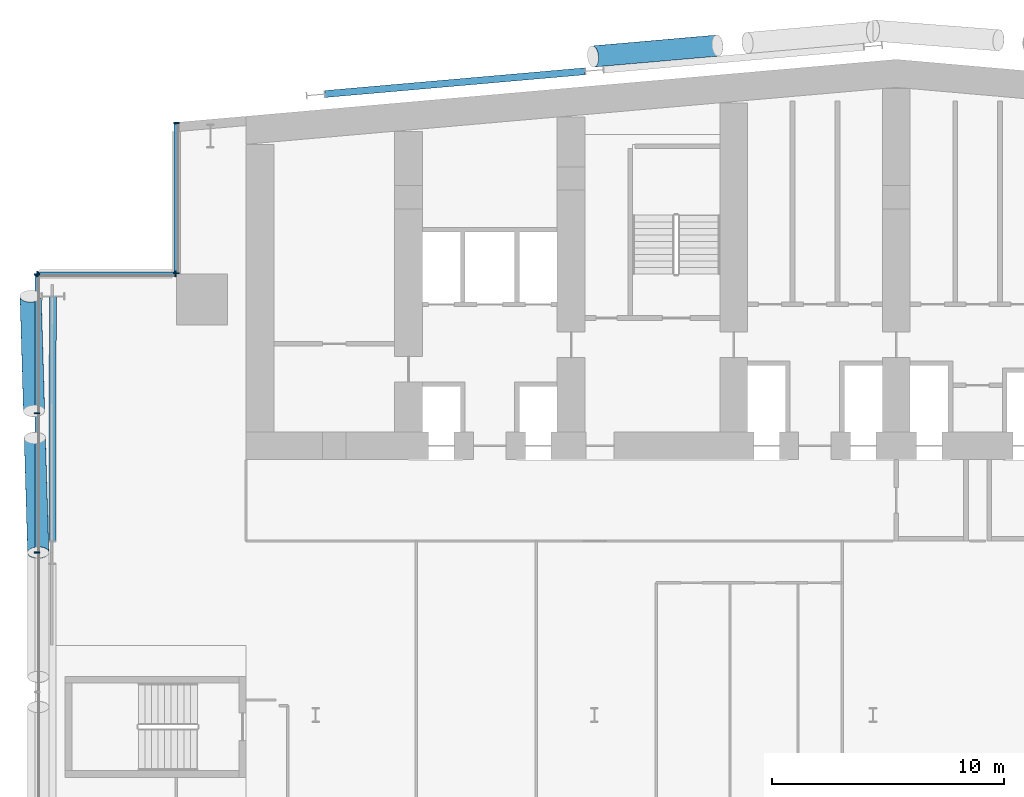
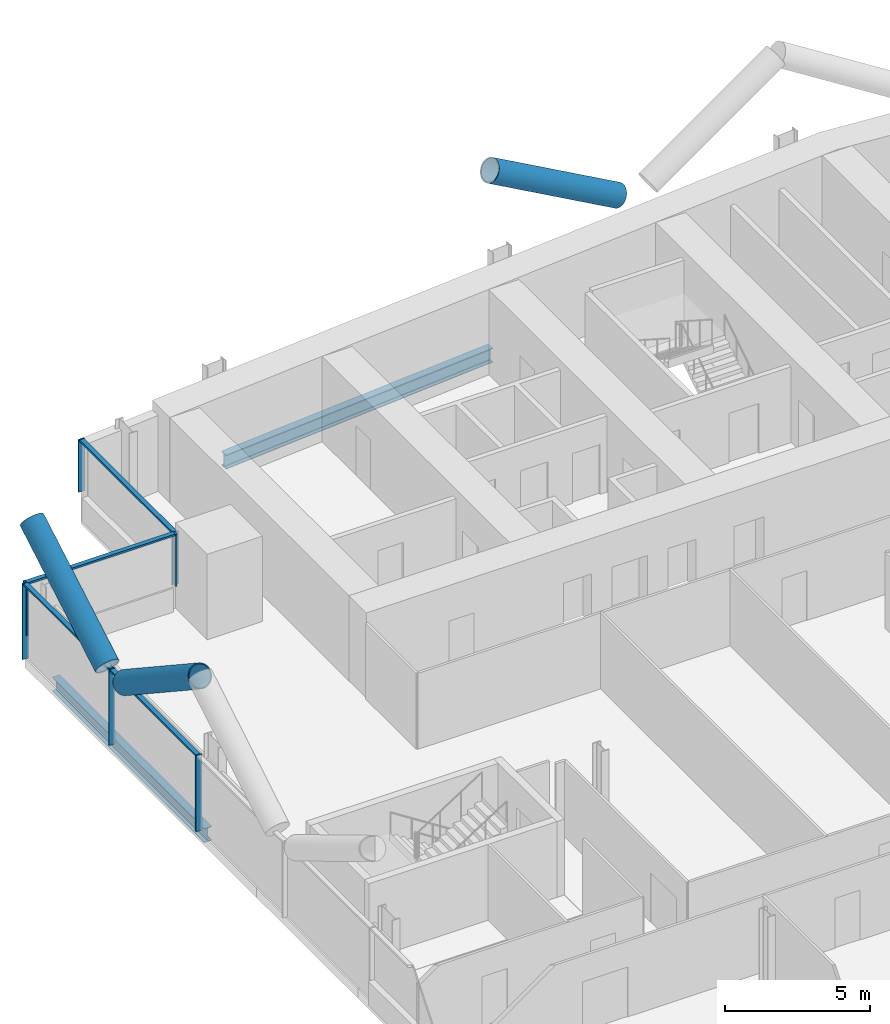
# One storey, part 7 of 27: 14 members, 2 beams, 3 elements without a shape of their own.
"""IFC4 building model written with IfcOpenShell, lengths in metres."""

from ifc_helpers import new_model, si_unit, direction, frame, origin, origin_2d, place, context, subcontext, project, spatial, rectangle, hollow_circle, i_section, extrude, material, material_profile, profile_set, type_object, element, aggregate, save


model = new_model("IFC4")

# Units and contexts
model_context = context("Model", 3, precision=1e-05, world=origin(), true_north=direction((0.0, 1.0)))
body_context = subcontext(model_context, "Body", "Model", "MODEL_VIEW")
ifc_project = project(units=[si_unit("LENGTHUNIT", "METRE"), si_unit("AREAUNIT", "SQUARE_METRE"), si_unit("VOLUMEUNIT", "CUBIC_METRE"), si_unit("PLANEANGLEUNIT", "RADIAN"), si_unit("MASSUNIT", "GRAM", prefix="KILO")], contexts=[model_context])

# Site, building, storey
site_placement = place(None, origin())
site = spatial("IfcSite", under=ifc_project, at=site_placement, CompositionType="ELEMENT")
building_placement = place(site_placement, origin())
building = spatial("IfcBuilding", under=site, at=building_placement, Name="Wharfspan Tower", CompositionType="ELEMENT")
storey_placement = place(building_placement, frame((0.0, 0.0, 84.699951)))
storey = spatial("IfcBuildingStorey", under=building, at=storey_placement, Name="L18", CompositionType="ELEMENT", Elevation=84.699951)

# Beams
ifc_material_1 = material(Name="Steel S355J2", Category="steel")
ifc_material_profile_1 = material_profile(ifc_material_1, i_section(OverallWidth=0.300049, OverallDepth=0.600098, WebThickness=0.015381, FlangeThickness=0.030029, FilletRadius=0.0271, at=origin_2d()))
ifc_profile_set_1 = profile_set([ifc_material_profile_1], Name="Steel S355J2")
beam_type = type_object("IfcBeamType", Name="Edge beam HEB 600", PredefinedType="SPANDREL", material=ifc_profile_set_1)
beam_1_placement = place(storey_placement, frame((23.598633, 50.724609, -0.699951), z_axis=(-0.996194, -0.087165, 0.0), x_axis=(0.087165, -0.996194, 0.0)))
element("IfcBeam", 1, at=beam_1_placement, inside=storey, type_object=beam_type, Name="Edge beam N1 L18 R.2 to R.1", PredefinedType="SPANDREL", context=body_context, shape_type="SweptSolid", body=[
    extrude(i_section(OverallWidth=0.300049, OverallDepth=0.600098, WebThickness=0.015381, FlangeThickness=0.030029, FilletRadius=0.0271, at=origin_2d()), origin(), (0.0, 0.0, 1.0), 11.23999),
])
beam_2_placement = place(storey_placement, frame((0.684814, 41.027832, -0.699951), z_axis=(-0.002249, -0.999997, 0.0), x_axis=(0.999997, -0.002249, 0.0)))
element("IfcBeam", 2, at=beam_2_placement, inside=storey, type_object=beam_type, Name="Edge beam W L18 PNRW-H.1 to PW.1", PredefinedType="SPANDREL", context=body_context, shape_type="SweptSolid", body=[
    extrude(i_section(OverallWidth=0.300049, OverallDepth=0.600098, WebThickness=0.015381, FlangeThickness=0.030029, FilletRadius=0.0271, at=origin_2d()), origin(), (0.0, 0.0, 1.0), 10.527832),
])

# Curtain wall, members
ifc_material_2 = material(Name="Aluminium 6063-T6", Category="aluminium")
curtain_wall_type = type_object("IfcCurtainWallType", Name="CURTAIN WALL PROW AND END", PredefinedType="NOTDEFINED", material=ifc_material_2)
curtain_wall_1_placement = place(storey_placement, origin())
curtain_wall_1 = element("IfcCurtainWall", 3, at=curtain_wall_1_placement, inside=storey, type_object=curtain_wall_type, Name="Curtain wall NRW-V", PredefinedType="NOTDEFINED")
ifc_material_profile_2 = material_profile(ifc_material_2, rectangle(XDim=0.23999, YDim=0.060059, at=origin_2d()))
ifc_profile_set_2 = profile_set([ifc_material_profile_2], Name="Aluminium 6063-T6")
member_type_1 = type_object("IfcMemberType", Name="MULLION PROW AND END 60x240", PredefinedType="MULLION", material=ifc_profile_set_2)
member_1_placement = place(storey_placement, frame((6.0, 48.494873, 1.0), z_axis=(0.0, 0.0, 1.0), x_axis=(1.0, 0.0, 0.0)))
member_1 = element("IfcMember", 4, at=member_1_placement, type_object=member_type_1, Name="Curtain wall NRW-V mullion 1", PredefinedType="MULLION", context=body_context, shape_type="SweptSolid", body=[
    extrude(rectangle(XDim=0.23999, YDim=0.060059, at=origin_2d()), origin(), (0.0, 0.0, 1.0), 2.199951),
])
member_2_placement = place(storey_placement, frame((6.0, 42.030029, 1.0), z_axis=(0.0, 0.0, 1.0), x_axis=(1.0, 0.0, 0.0)))
member_2 = element("IfcMember", 5, at=member_2_placement, type_object=member_type_1, Name="Curtain wall NRW-V mullion 2", PredefinedType="MULLION", context=body_context, shape_type="SweptSolid", body=[
    extrude(rectangle(XDim=0.23999, YDim=0.060059, at=origin_2d()), origin(), (0.0, 0.0, 1.0), 2.199951),
])

curtain_wall_2_placement = place(storey_placement, origin())
curtain_wall_2 = element("IfcCurtainWall", 6, at=curtain_wall_2_placement, inside=storey, type_object=curtain_wall_type, Name="Curtain wall NRW-H", PredefinedType="NOTDEFINED")
member_3_placement = place(storey_placement, frame((5.969971, 42.0, 1.0), z_axis=(0.0, 0.0, 1.0), x_axis=(0.0, -1.0, 0.0)))
member_3 = element("IfcMember", 7, at=member_3_placement, type_object=member_type_1, Name="Curtain wall NRW-H mullion 1", PredefinedType="MULLION", context=body_context, shape_type="SweptSolid", body=[
    extrude(rectangle(XDim=0.23999, YDim=0.060059, at=origin_2d()), origin(), (0.0, 0.0, 1.0), 2.199951),
])
member_4_placement = place(storey_placement, frame((0.030029, 42.0, 1.0), z_axis=(0.0, 0.0, 1.0), x_axis=(0.0, -1.0, 0.0)))
member_4 = element("IfcMember", 8, at=member_4_placement, type_object=member_type_1, Name="Curtain wall NRW-H mullion 2", PredefinedType="MULLION", context=body_context, shape_type="SweptSolid", body=[
    extrude(rectangle(XDim=0.23999, YDim=0.060059, at=origin_2d()), origin(), (0.0, 0.0, 1.0), 2.199951),
])

curtain_wall_3_placement = place(storey_placement, origin())
curtain_wall_3 = element("IfcCurtainWall", 9, at=curtain_wall_3_placement, inside=storey, type_object=curtain_wall_type, Name="Curtain wall W", PredefinedType="NOTDEFINED")
member_5_placement = place(storey_placement, frame((0.0, 41.969971, 0.0), z_axis=(0.0, 0.0, 1.0), x_axis=(1.0, 0.0, 0.0)))
member_5 = element("IfcMember", 10, at=member_5_placement, type_object=member_type_1, Name="Curtain wall W mullion 1", PredefinedType="MULLION", context=body_context, shape_type="SweptSolid", body=[
    extrude(rectangle(XDim=0.23999, YDim=0.060059, at=origin_2d()), origin(), (0.0, 0.0, 1.0), 3.199951),
])
member_6_placement = place(storey_placement, frame((0.0, 36.0, 0.0), z_axis=(0.0, 0.0, 1.0), x_axis=(1.0, 0.0, 0.0)))
member_6 = element("IfcMember", 11, at=member_6_placement, type_object=member_type_1, Name="Curtain wall W mullion 2", PredefinedType="MULLION", context=body_context, shape_type="SweptSolid", body=[
    extrude(rectangle(XDim=0.23999, YDim=0.060059, at=origin_2d()), origin(), (0.0, 0.0, 1.0), 3.199951),
])
member_7_placement = place(storey_placement, frame((0.0, 30.0, 0.0), z_axis=(0.0, 0.0, 1.0), x_axis=(1.0, 0.0, 0.0)))
member_7 = element("IfcMember", 12, at=member_7_placement, type_object=member_type_1, Name="Curtain wall W mullion 3", PredefinedType="MULLION", context=body_context, shape_type="SweptSolid", body=[
    extrude(rectangle(XDim=0.23999, YDim=0.060059, at=origin_2d()), origin(), (0.0, 0.0, 1.0), 3.199951),
])

# Members
ifc_material_3 = material(Name="Steel S460NH", Category="steel")
ifc_material_profile_3 = material_profile(ifc_material_3, hollow_circle(Radius=0.457031, WallThickness=0.040039, at=origin_2d()))
ifc_profile_set_3 = profile_set([ifc_material_profile_3], Name="Steel S460NH")
member_type_2 = type_object("IfcMemberType", Name="Mega brace CHS 914x40", PredefinedType="BRACE", material=ifc_profile_set_3)
for number, where, z_axis, x_axis, name in (
    (13, (-0.091797, 34.933594, 3.280762), (0.0249, -0.837221, 0.546298), (0.999556, 0.02973, 3e-06), "Mega brace W4 L18 part 2"),
    (14, (-0.126465, 36.100586, 3.280762), (-0.0249, 0.837221, 0.546298), (-0.999556, -0.02973, 3e-06), "Mega brace W4 L18 part 4"),
):
    element("IfcMember", number, at=place(storey_placement, frame(where, z_axis=z_axis, x_axis=x_axis)), inside=storey, type_object=member_type_2, Name=name, PredefinedType="BRACE", context=body_context, shape_type="SweptSolid", body=[
        extrude(hollow_circle(Radius=0.457031, WallThickness=0.040039, at=origin_2d()), origin(), (0.0, 0.0, 1.0), 5.892822),
    ])
member_8_placement = place(storey_placement, frame((29.296875, 51.831055, 3.290283), z_axis=(-0.855094, -0.074809, 0.513048), x_axis=(0.087154, -0.996195, 1e-06)))
element("IfcMember", 15, at=member_8_placement, inside=storey, type_object=member_type_2, Name="Mega brace N7 L18 part 4", PredefinedType="BRACE", context=body_context, shape_type="SweptSolid", body=[
    extrude(hollow_circle(Radius=0.457031, WallThickness=0.040039, at=origin_2d()), origin(), (0.0, 0.0, 1.0), 6.256104),
])

# Member
ifc_material_profile_4 = material_profile(ifc_material_2, rectangle(XDim=0.179932, YDim=0.080078, at=origin_2d()))
ifc_profile_set_4 = profile_set([ifc_material_profile_4], Name="Aluminium 6063-T6")
member_type_3 = type_object("IfcMemberType", Name="TRANSOM PROW AND END 80x180", PredefinedType="USERDEFINED", material=ifc_profile_set_4)
member_9_placement = place(storey_placement, frame((6.0, 48.464844, 3.160156), z_axis=(0.0, -1.0, 0.0), x_axis=(1.0, 0.0, 0.0)))
member_9 = element("IfcMember", 16, at=member_9_placement, type_object=member_type_3, Name="Curtain wall NRW-V transom 1", ObjectType="TRANSOM", PredefinedType="USERDEFINED", context=body_context, shape_type="SweptSolid", body=[
    extrude(rectangle(XDim=0.179932, YDim=0.080078, at=origin_2d()), origin(), (0.0, 0.0, 1.0), 6.404785),
])

aggregate(curtain_wall_1, [member_1, member_2, member_9])

member_10_placement = place(storey_placement, frame((5.939941, 42.0, 3.160156), z_axis=(-1.0, 0.0, 0.0), x_axis=(0.0, -1.0, 0.0)))
member_10 = element("IfcMember", 17, at=member_10_placement, type_object=member_type_3, Name="Curtain wall NRW-H transom 1", ObjectType="TRANSOM", PredefinedType="USERDEFINED", context=body_context, shape_type="SweptSolid", body=[
    extrude(rectangle(XDim=0.179932, YDim=0.080078, at=origin_2d()), origin(), (0.0, 0.0, 1.0), 5.879883),
])

aggregate(curtain_wall_2, [member_3, member_4, member_10])

member_11_placement = place(storey_placement, frame((0.0, 41.939941, 3.160156), z_axis=(0.0, -1.0, 0.0), x_axis=(1.0, 0.0, 0.0)))
member_11 = element("IfcMember", 18, at=member_11_placement, type_object=member_type_3, Name="Curtain wall W transom 1", ObjectType="TRANSOM", PredefinedType="USERDEFINED", context=body_context, shape_type="SweptSolid", body=[
    extrude(rectangle(XDim=0.179932, YDim=0.080078, at=origin_2d()), origin(), (0.0, 0.0, 1.0), 5.909912),
])

member_12_placement = place(storey_placement, frame((0.0, 35.969971, 3.160156), z_axis=(0.0, -1.0, 0.0), x_axis=(1.0, 0.0, 0.0)))
member_12 = element("IfcMember", 19, at=member_12_placement, type_object=member_type_3, Name="Curtain wall W transom 2", ObjectType="TRANSOM", PredefinedType="USERDEFINED", context=body_context, shape_type="SweptSolid", body=[
    extrude(rectangle(XDim=0.179932, YDim=0.080078, at=origin_2d()), origin(), (0.0, 0.0, 1.0), 5.939941),
])

aggregate(curtain_wall_3, [member_5, member_6, member_7, member_11, member_12])

save(model, "model.ifc")
